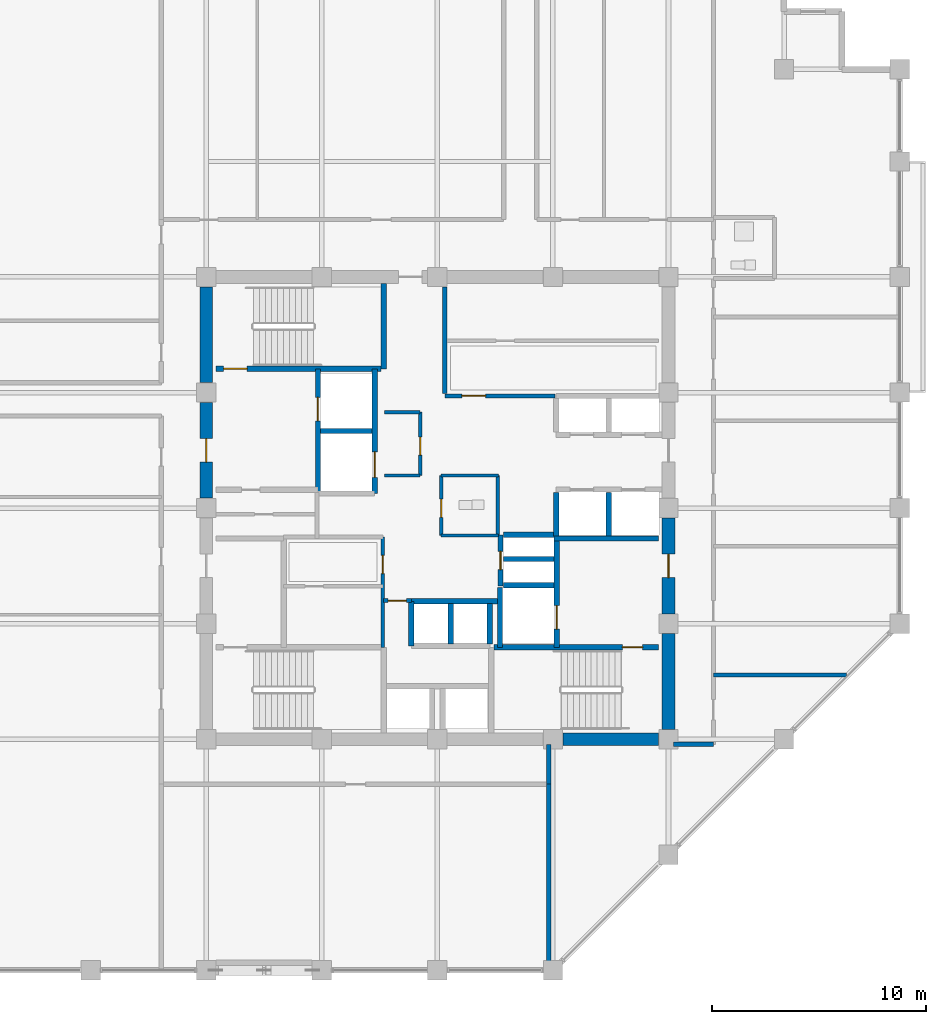
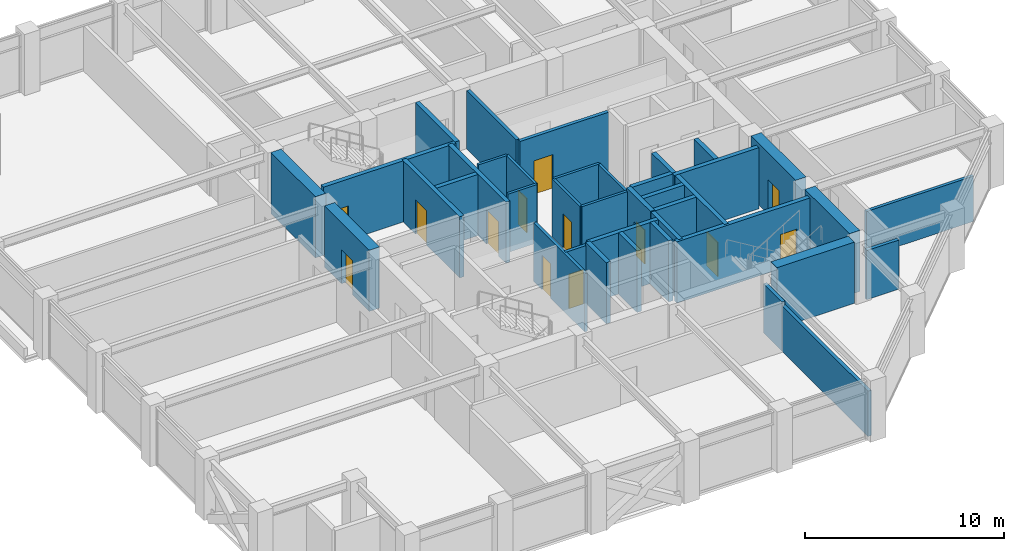
# One storey, part 27 of 31: 39 walls, 13 doors, 13 openings.
"""IFC4 building model written with IfcOpenShell, lengths in metres."""

import ifcopenshell
import ifcopenshell.guid

model = None  # the IFC model being written
_history = None  # IfcOwnerHistory: only IFC2X3 demands one
_inside = {}  # id of a spatial element -> (the spatial element, [elements in it])
_under = {}  # id of a project, library or spatial element -> (it, [spatial elements below it])
_declared = {}  # id of a project -> (the project, [libraries it declares])
_typed = {}  # id of a type object -> (the type object, [elements of that type])
_made_of = {}  # id of a material, layer set ... -> (it, [elements and type objects made of it])


def new_model(schema):
    """Start an empty IFC model of exactly this schema.

    Asked for "IFC4X3", IfcOpenShell would pick the latest addendum, in which some entities
    have other attributes; the version numbers below select the first issue.
    IFC2X3 requires an IfcOwnerHistory on every rooted entity: one is made here for all.
    """
    global model, _history
    if schema == "IFC4X3":
        model = ifcopenshell.file(schema_version=(4, 3, 0, 0))
    else:
        model = ifcopenshell.file(schema=schema)
    _inside.clear()
    _under.clear()
    _declared.clear()
    _typed.clear()
    _made_of.clear()
    _history = None
    if model.schema == "IFC2X3":
        org = make("IfcOrganization", Name="unknown")
        user = make(
            "IfcPersonAndOrganization",
            ThePerson=make("IfcPerson", FamilyName="unknown"),
            TheOrganization=org,
        )
        app = make(
            "IfcApplication",
            ApplicationDeveloper=org,
            Version="unknown",
            ApplicationFullName="unknown",
            ApplicationIdentifier="unknown",
        )
        _history = make(
            "IfcOwnerHistory",
            OwningUser=user,
            OwningApplication=app,
            ChangeAction="ADDED",
            CreationDate=0,
        )
    return model


def make(cls, **values):
    """One entity of the class cls with the attributes given. An attribute that is None is left unset."""
    return model.create_entity(
        cls, **{name: value for name, value in values.items() if value is not None}
    )


def rooted(cls, **values):
    """An entity with a GlobalId (a new one), such as an element, a storey or a relation."""
    return make(cls, GlobalId=ifcopenshell.guid.new(), OwnerHistory=_history, **values)


def si_unit(unit_type, name, prefix=None):
    """IfcSIUnit, for example si_unit("LENGTHUNIT", "METRE", prefix="MILLI")."""
    return make("IfcSIUnit", UnitType=unit_type, Prefix=prefix, Name=name)


def assignment(units):
    """IfcUnitAssignment: the units of a project."""
    return None if units is None else make("IfcUnitAssignment", Units=units)


def point(xyz):
    """IfcCartesianPoint."""
    return None if xyz is None else make("IfcCartesianPoint", Coordinates=xyz)


def direction(xyz):
    """IfcDirection."""
    return None if xyz is None else make("IfcDirection", DirectionRatios=xyz)


def frame(location, z_axis=None, x_axis=None):
    """IfcAxis2Placement3D, a coordinate frame: its origin and axes. An axis left out is left unset."""
    return make(
        "IfcAxis2Placement3D",
        Location=point(location),
        Axis=direction(z_axis),
        RefDirection=direction(x_axis),
    )


def frame_2d(location, x_axis=None):
    """IfcAxis2Placement2D, a coordinate frame in the plane: its origin and x axis."""
    return make(
        "IfcAxis2Placement2D", Location=point(location), RefDirection=direction(x_axis)
    )


def origin():
    """The frame at (0, 0, 0) with its axes left unset."""
    return frame((0.0, 0.0, 0.0))


def place(relative_to, where):
    """IfcLocalPlacement: puts the frame where relative to a parent placement (None: the world)."""
    return make(
        "IfcLocalPlacement", PlacementRelTo=relative_to, RelativePlacement=where
    )


def context(
    kind, dimensions, precision=None, world=None, true_north=None, identifier=None
):
    """IfcGeometricRepresentationContext, for example the 3D "Model" context."""
    return make(
        "IfcGeometricRepresentationContext",
        ContextIdentifier=identifier,
        ContextType=kind,
        CoordinateSpaceDimension=dimensions,
        Precision=precision,
        WorldCoordinateSystem=world,
        TrueNorth=true_north,
    )


def subcontext(parent, identifier, kind, view, scale=None):
    """IfcGeometricRepresentationSubContext, for example "Body" below "Model"."""
    return make(
        "IfcGeometricRepresentationSubContext",
        ContextIdentifier=identifier,
        ContextType=kind,
        ParentContext=parent,
        TargetScale=scale,
        TargetView=view,
    )


def project(units=None, contexts=None):
    """IfcProject with its units and contexts."""
    return rooted(
        "IfcProject",
        Name="project",
        RepresentationContexts=contexts,
        UnitsInContext=assignment(units),
    )


def spatial(cls, under=None, at=None, **own):
    """A site, building, storey or space (cls), placed at a placement, below another one or the project."""
    s = rooted(cls, ObjectPlacement=at, **own)
    if under is not None:
        _under.setdefault(under.id(), (under, []))[1].append(s)
    return s


def profile(cls, at=None, kind="AREA", **sizes):
    """A parametric profile (cls). Its sizes go by their IFC names, for example OverallWidth=200.0."""
    return make(cls, ProfileType=kind, Position=at, **sizes)


def rectangle(**sizes):
    """IfcRectangleProfileDef."""
    return profile("IfcRectangleProfileDef", **sizes)


def extrude(swept, where, along, depth):
    """IfcExtrudedAreaSolid: the profile swept, set in the frame where, extruded along a direction by depth."""
    return make(
        "IfcExtrudedAreaSolid",
        SweptArea=swept,
        Position=where,
        ExtrudedDirection=direction(along),
        Depth=depth,
    )


def shape(context_of_items, identifier, shape_type, items):
    """IfcShapeRepresentation: the items that make up one representation, for example the "Body"."""
    return make(
        "IfcShapeRepresentation",
        ContextOfItems=context_of_items,
        RepresentationIdentifier=identifier,
        RepresentationType=shape_type,
        Items=items,
    )


def material(Name=None, Category=None):
    """IfcMaterial."""
    return make("IfcMaterial", Name=Name, Category=Category)


def layer(
    of_material, thickness, ventilated=None, Name=None, Category=None, Priority=None
):
    """IfcMaterialLayer: one layer of a wall or slab, of a material (None: an air gap)."""
    return make(
        "IfcMaterialLayer",
        Material=of_material,
        LayerThickness=thickness,
        IsVentilated=ventilated,
        Name=Name,
        Category=Category,
        Priority=Priority,
    )


def layer_set(layers, Name=None):
    """IfcMaterialLayerSet."""
    return make("IfcMaterialLayerSet", MaterialLayers=layers, LayerSetName=Name)


def made_of(thing, what):
    """Note that an element or type object is made of a material, layer set ...; save() writes the relation."""
    if what is not None:
        _made_of.setdefault(what.id(), (what, []))[1].append(thing)
    return thing


def type_object(cls, material=None, **own):
    """A type object (cls), such as IfcWallType, which elements share."""
    return made_of(rooted(cls, **own), material)


def element(
    cls,
    number,
    at=None,
    inside=None,
    cuts=None,
    type_object=None,
    material=None,
    context=None,
    identifier="Body",
    shape_type=None,
    held_by="IfcProductDefinitionShape",
    body=None,
    shapes=None,
    **own,
):
    """One element of the class cls, such as IfcWall. Its Tag is "e" and its number.

    at: its placement. inside: the storey or other place that contains it. cuts: it is an
    opening in that element (IfcRelVoidsElement). A single representation is given by context,
    identifier, shape_type and body (its items); several are given by shapes. held_by: the class
    of the entity that holds the representations. save() writes the other relations.
    """
    e = rooted(cls, Tag="e%d" % number, ObjectPlacement=at, **own)
    if body is not None:
        shapes = [shape(context, identifier, shape_type, body)]
    if shapes is not None:
        e.Representation = make(held_by, Representations=shapes)
    if inside is not None:
        _inside.setdefault(inside.id(), (inside, []))[1].append(e)
    if cuts is not None:
        rooted(
            "IfcRelVoidsElement", RelatingBuildingElement=cuts, RelatedOpeningElement=e
        )
    if type_object is not None:
        _typed.setdefault(type_object.id(), (type_object, []))[1].append(e)
    return made_of(e, material)


def fill(opening, filler):
    """IfcRelFillsElement: the door or window that sits in an opening."""
    return rooted(
        "IfcRelFillsElement",
        RelatingOpeningElement=opening,
        RelatedBuildingElement=filler,
    )


def aggregate(whole, parts):
    """IfcRelAggregates: a whole, such as a stair, and the parts it consists of."""
    return rooted("IfcRelAggregates", RelatingObject=whole, RelatedObjects=parts)


def save(model, path):
    """Write the relations noted so far, then the file.

    IfcRelAggregates (storeys below a building ...), IfcRelContainedInSpatialStructure (elements
    in a storey), IfcRelDefinesByType, IfcRelAssociatesMaterial and IfcRelDeclares: one each for
    every whole, place, type object, material and project.
    """
    for whole, parts in _under.values():
        aggregate(whole, parts)
    for where, things in _inside.values():
        rooted(
            "IfcRelContainedInSpatialStructure",
            RelatedElements=things,
            RelatingStructure=where,
        )
    for kind, things in _typed.values():
        rooted("IfcRelDefinesByType", RelatedObjects=things, RelatingType=kind)
    for what, things in _made_of.values():
        rooted("IfcRelAssociatesMaterial", RelatedObjects=things, RelatingMaterial=what)
    for by, libraries in _declared.values():
        rooted("IfcRelDeclares", RelatingContext=by, RelatedDefinitions=libraries)
    model.write(path)


model = new_model("IFC4")

# Units and contexts
model_context = context("Model", 3, precision=1e-05, world=origin(), true_north=direction((0.0, 1.0)))
body_context = subcontext(model_context, "Body", "Model", "MODEL_VIEW")
ifc_project = project(units=[si_unit("LENGTHUNIT", "METRE"), si_unit("AREAUNIT", "SQUARE_METRE"), si_unit("VOLUMEUNIT", "CUBIC_METRE"), si_unit("PLANEANGLEUNIT", "RADIAN"), si_unit("MASSUNIT", "GRAM", prefix="KILO")], contexts=[model_context])

# Site, building, storey
site_placement = place(None, origin())
site = spatial("IfcSite", under=ifc_project, at=site_placement, CompositionType="ELEMENT")
building_placement = place(site_placement, origin())
building = spatial("IfcBuilding", under=site, at=building_placement, Name="Surkhivell Harbour Commons", CompositionType="ELEMENT")
storey_placement = place(building_placement, frame((0.0, 0.0, 193.5)))
storey = spatial("IfcBuildingStorey", under=building, at=storey_placement, Name="L50", CompositionType="ELEMENT", Elevation=193.5)

# Wall
ifc_material_1 = material(Name="Concrete C60/75", Category="concrete")
ifc_layer_1 = layer(ifc_material_1, 0.60009765625)
ifc_layer_set_1 = layer_set([ifc_layer_1], Name="Concrete C60/75")
wall_type_1 = type_object("IfcWallType", Name="WAL-CORE-600", PredefinedType="SHEAR", material=ifc_layer_set_1)
wall_1_placement = place(storey_placement, frame((10.800048828125, -10.340087890625, 0.0), z_axis=(0.0, 0.0, 1.0), x_axis=(0.0, 1.0, 0.0)))
element("IfcWall", 1, at=wall_1_placement, inside=storey, type_object=wall_type_1, Name="L50 Core Shear Wall East 1", PredefinedType="SHEAR", context=body_context, shape_type="SweptSolid", body=[
    extrude(rectangle(XDim=4.47998046875, YDim=0.60009765625, at=frame_2d((2.239990234375, 0.0))), origin(), (0.0, 0.0, 1.0), 3.75),
])

# Wall, opening, door
wall_2_placement = place(storey_placement, frame((10.800048828125, -4.93994140625, 0.0), z_axis=(0.0, 0.0, 1.0), x_axis=(0.0, 1.0, 0.0)))
wall_2 = element("IfcWall", 2, at=wall_2_placement, inside=storey, type_object=wall_type_1, Name="L50 Core Shear Wall East 2", PredefinedType="SHEAR", context=body_context, shape_type="SweptSolid", body=[
    extrude(rectangle(XDim=4.47998046875, YDim=0.60009765625, at=frame_2d((2.239990234375, 0.0))), origin(), (0.0, 0.0, 1.0), 3.75),
])
opening_1_placement = place(wall_2_placement, frame((1.68994140625, 0.0, 0.0)))
opening_1 = element("IfcOpeningElement", 3, at=opening_1_placement, cuts=wall_2, Name="Opening ID-1", PredefinedType="OPENING", context=body_context, shape_type="SweptSolid", body=[
    extrude(rectangle(XDim=1.10009765625, YDim=2.10009765625, at=frame_2d((0.550048828125, 1.050048828125))), frame((0.0, 0.31005859375, 0.0), z_axis=(0.0, -1.0, 0.0), x_axis=(1.0, 0.0, 0.0)), (0.0, 0.0, 1.0), 0.6201171875),
])
ifc_material_2 = material(Name="Hardwood-veneered fire-rated door leaf", Category="wood")
door_type_1 = type_object("IfcDoorType", Name="DOR-FD120-1100", OperationType="NOTDEFINED", PredefinedType="DOOR", material=ifc_material_2)
door_1_placement = place(opening_1_placement, origin())
door_1 = element("IfcDoor", 4, at=door_1_placement, inside=storey, type_object=door_type_1, Name="L50 Firefighting Lobby 2 Corridor Door", OperationType="SINGLE_SWING_RIGHT", OverallHeight=2.10009765625, OverallWidth=1.10009765625, PredefinedType="DOOR", context=body_context, shape_type="SweptSolid", body=[
    extrude(rectangle(XDim=1.10009765625, YDim=2.10009765625, at=frame_2d((0.550048828125, 1.050048828125))), frame((0.0, 0.02490234375, 0.0), z_axis=(0.0, -1.0, 0.0), x_axis=(1.0, 0.0, 0.0)), (0.0, 0.0, 1.0), 0.050048828125),
])
fill(opening_1, door_1)

wall_3_placement = place(storey_placement, frame((-10.800048828125, 0.4599609375, 0.0), z_axis=(0.0, 0.0, 1.0), x_axis=(0.0, 1.0, 0.0)))
wall_3 = element("IfcWall", 5, at=wall_3_placement, inside=storey, type_object=wall_type_1, Name="L50 Core Shear Wall West 3", PredefinedType="SHEAR", context=body_context, shape_type="SweptSolid", body=[
    extrude(rectangle(XDim=4.47998046875, YDim=0.60009765625, at=frame_2d((2.239990234375, 0.0))), origin(), (0.0, 0.0, 1.0), 3.75),
])
opening_2_placement = place(wall_3_placement, frame((1.68994140625, 0.0, 0.0)))
opening_2 = element("IfcOpeningElement", 6, at=opening_2_placement, cuts=wall_3, Name="Opening ID-1", PredefinedType="OPENING", context=body_context, shape_type="SweptSolid", body=[
    extrude(rectangle(XDim=1.10009765625, YDim=2.10009765625, at=frame_2d((0.550048828125, 1.050048828125))), frame((0.0, 0.31005859375, 0.0), z_axis=(0.0, -1.0, 0.0), x_axis=(1.0, 0.0, 0.0)), (0.0, 0.0, 1.0), 0.6201171875),
])
door_2_placement = place(opening_2_placement, origin())
door_2 = element("IfcDoor", 7, at=door_2_placement, inside=storey, type_object=door_type_1, Name="L50 Firefighting Lobby 1 Corridor Door", OperationType="SINGLE_SWING_LEFT", OverallHeight=2.10009765625, OverallWidth=1.10009765625, PredefinedType="DOOR", context=body_context, shape_type="SweptSolid", body=[
    extrude(rectangle(XDim=1.10009765625, YDim=2.10009765625, at=frame_2d((0.550048828125, 1.050048828125))), frame((0.0, 0.02490234375, 0.0), z_axis=(0.0, -1.0, 0.0), x_axis=(1.0, 0.0, 0.0)), (0.0, 0.0, 1.0), 0.050048828125),
])
fill(opening_2, door_2)

# Walls
for number, where, z_axis, x_axis, name in (
    (8, (5.860107421875, -10.800048828125, 0.0), (0.0, 0.0, 1.0), (1.0, 0.0, 0.0), "L50 Core Shear Wall South 4"),
    (9, (-10.800048828125, 5.860107421875, 0.0), (0.0, 0.0, 1.0), (0.0, 1.0, 0.0), "L50 Core Shear Wall West 4"),
):
    element("IfcWall", number, at=place(storey_placement, frame(where, z_axis=z_axis, x_axis=x_axis)), inside=storey, type_object=wall_type_1, Name=name, PredefinedType="SHEAR", context=body_context, shape_type="SweptSolid", body=[
        extrude(rectangle(XDim=4.47998046875, YDim=0.60009765625, at=frame_2d((2.239990234375, 0.0))), origin(), (0.0, 0.0, 1.0), 3.75),
    ])
ifc_material_3 = material(Name="Twin-stud acoustic fireboard partition", Category="other")
ifc_layer_2 = layer(ifc_material_3, 0.14990234375)
ifc_layer_set_2 = layer_set([ifc_layer_2], Name="Twin-stud acoustic fireboard partition")
wall_type_2 = type_object("IfcWallType", Name="WAL-INT-150", PredefinedType="PARTITIONING", material=ifc_layer_set_2)
wall_4_placement = place(storey_placement, frame((2.820068359375, -1.25, 0.0), z_axis=(0.0, 0.0, 1.0), x_axis=(0.0, 1.0, 0.0)))
element("IfcWall", 10, at=wall_4_placement, inside=storey, type_object=wall_type_2, Name="L50 Core WC East Wall", PredefinedType="PARTITIONING", context=body_context, shape_type="SweptSolid", body=[
    extrude(rectangle(XDim=2.77001953125, YDim=0.14990234375, at=frame_2d((1.385009765625, 0.0))), origin(), (0.0, 0.0, 1.0), 3.570068359375),
])
for number, where, z_axis, x_axis, name in (
    (11, (0.179931640625, 1.52001953125, 0.0), (0.0, 0.0, 1.0), (1.0, 0.0, 0.0), "L50 Core WC North Wall"),
    (12, (0.179931640625, -1.280029296875, 0.0), (0.0, 0.0, 1.0), (1.0, 0.0, 0.0), "L50 Core WC South Wall"),
):
    element("IfcWall", number, at=place(storey_placement, frame(where, z_axis=z_axis, x_axis=x_axis)), inside=storey, type_object=wall_type_2, Name=name, PredefinedType="PARTITIONING", context=body_context, shape_type="SweptSolid", body=[
        extrude(rectangle(XDim=2.670166015625, YDim=0.14990234375, at=frame_2d((1.3349609375, 0.0))), origin(), (0.0, 0.0, 1.0), 3.570068359375),
    ])

# Wall, opening, door
wall_5_placement = place(storey_placement, frame((0.179931640625, -1.280029296875, 0.0), z_axis=(0.0, 0.0, 1.0), x_axis=(0.0, 1.0, 0.0)))
wall_5 = element("IfcWall", 13, at=wall_5_placement, inside=storey, type_object=wall_type_2, Name="L50 Core Accessible WC West Wall", PredefinedType="PARTITIONING", context=body_context, shape_type="SweptSolid", body=[
    extrude(rectangle(XDim=2.800048828125, YDim=0.14990234375, at=frame_2d((1.39990234375, 0.0))), origin(), (0.0, 0.0, 1.0), 3.570068359375),
])
opening_3_placement = place(wall_5_placement, frame((0.85009765625, 0.0, 0.0)))
opening_3 = element("IfcOpeningElement", 14, at=opening_3_placement, cuts=wall_5, Name="Opening ID-6", PredefinedType="OPENING", context=body_context, shape_type="SweptSolid", body=[
    extrude(rectangle(XDim=0.85009765625, YDim=2.10009765625, at=frame_2d((0.425048828125, 1.050048828125))), frame((0.0, 0.0849609375, 0.0), z_axis=(0.0, -1.0, 0.0), x_axis=(1.0, 0.0, 0.0)), (0.0, 0.0, 1.0), 0.169921875),
])
door_type_2 = type_object("IfcDoorType", Name="DOR-FD30-850", OperationType="NOTDEFINED", PredefinedType="DOOR", material=ifc_material_2)
door_3_placement = place(opening_3_placement, origin())
door_3 = element("IfcDoor", 15, at=door_3_placement, inside=storey, type_object=door_type_2, Name="L50 Floor Accessible WC Door", OperationType="SINGLE_SWING_RIGHT", OverallHeight=2.10009765625, OverallWidth=0.85009765625, PredefinedType="DOOR", context=body_context, shape_type="SweptSolid", body=[
    extrude(rectangle(XDim=0.85009765625, YDim=2.10009765625, at=frame_2d((0.425048828125, 1.050048828125))), frame((0.0, 0.02490234375, 0.0), z_axis=(0.0, -1.0, 0.0), x_axis=(1.0, 0.0, 0.0)), (0.0, 0.0, 1.0), 0.050048828125),
])
fill(opening_3, door_3)

wall_6_placement = place(storey_placement, frame((-0.800048828125, 1.52001953125, 0.0), z_axis=(0.0, 0.0, 1.0), x_axis=(0.0, 1.0, 0.0)))
wall_6 = element("IfcWall", 16, at=wall_6_placement, inside=storey, type_object=wall_type_2, Name="L50 Core Seminar East Wall", PredefinedType="PARTITIONING", context=body_context, shape_type="SweptSolid", body=[
    extrude(rectangle(XDim=2.9599609375, YDim=0.14990234375, at=frame_2d((1.47998046875, 0.0))), origin(), (0.0, 0.0, 1.0), 3.570068359375),
])
opening_4_placement = place(wall_6_placement, frame((0.949951171875, 0.0, 0.0)))
opening_4 = element("IfcOpeningElement", 17, at=opening_4_placement, cuts=wall_6, Name="Opening ID-6", PredefinedType="OPENING", context=body_context, shape_type="SweptSolid", body=[
    extrude(rectangle(XDim=0.85009765625, YDim=2.10009765625, at=frame_2d((0.425048828125, 1.050048828125))), frame((0.0, 0.0849609375, 0.0), z_axis=(0.0, -1.0, 0.0), x_axis=(1.0, 0.0, 0.0)), (0.0, 0.0, 1.0), 0.169921875),
])
door_4_placement = place(opening_4_placement, origin())
door_4 = element("IfcDoor", 18, at=door_4_placement, inside=storey, type_object=door_type_2, Name="L50 Central Seminar Door", OperationType="SINGLE_SWING_LEFT", OverallHeight=2.10009765625, OverallWidth=0.85009765625, PredefinedType="DOOR", context=body_context, shape_type="SweptSolid", body=[
    extrude(rectangle(XDim=0.85009765625, YDim=2.10009765625, at=frame_2d((0.425048828125, 1.050048828125))), frame((0.0, 0.02490234375, 0.0), z_axis=(0.0, -1.0, 0.0), x_axis=(1.0, 0.0, 0.0)), (0.0, 0.0, 1.0), 0.050048828125),
])
fill(opening_4, door_4)

# Walls
for number, where, z_axis, x_axis, name in (
    (19, (-2.47998046875, 4.47998046875, 0.0), (0.0, 0.0, 1.0), (1.0, 0.0, 0.0), "L50 Core Seminar North Wall"),
    (20, (-2.47998046875, 1.52001953125, 0.0), (0.0, 0.0, 1.0), (1.0, 0.0, 0.0), "L50 Core Seminar South Wall"),
):
    element("IfcWall", number, at=place(storey_placement, frame(where, z_axis=z_axis, x_axis=x_axis)), inside=storey, type_object=wall_type_2, Name=name, PredefinedType="PARTITIONING", context=body_context, shape_type="SweptSolid", body=[
        extrude(rectangle(XDim=1.679931640625, YDim=0.14990234375, at=frame_2d((0.83984375, 0.0))), origin(), (0.0, 0.0, 1.0), 3.570068359375),
    ])

# Wall, opening, door
ifc_material_4 = material(Name="High-density acoustic blockwork fire partition", Category="masonry")
ifc_layer_3 = layer(ifc_material_4, 0.175048828125)
ifc_layer_set_3 = layer_set([ifc_layer_3], Name="High-density acoustic blockwork fire partition")
wall_type_3 = type_object("IfcWallType", Name="WAL-INT-175", PredefinedType="PARTITIONING", material=ifc_layer_set_3)
wall_7_placement = place(storey_placement, frame((-2.550048828125, -6.510009765625, 0.0), z_axis=(0.0, 0.0, 1.0), x_axis=(0.0, 1.0, 0.0)))
wall_7 = element("IfcWall", 21, at=wall_7_placement, inside=storey, type_object=wall_type_3, Name="L50 Core Service Bay East Wall", PredefinedType="PARTITIONING", context=body_context, shape_type="SweptSolid", body=[
    extrude(rectangle(XDim=5.159912109375, YDim=0.175048828125, at=frame_2d((2.580078125, 0.0))), origin(), (0.0, 0.0, 1.0), 3.570068359375),
])
opening_5_placement = place(wall_7_placement, frame((3.449951171875, 0.0, 0.0)))
opening_5 = element("IfcOpeningElement", 22, at=opening_5_placement, cuts=wall_7, Name="Opening ID-6", PredefinedType="OPENING", context=body_context, shape_type="SweptSolid", body=[
    extrude(rectangle(XDim=0.85009765625, YDim=2.10009765625, at=frame_2d((0.425048828125, 1.050048828125))), frame((0.0, 0.097412109375, 0.0), z_axis=(0.0, -1.0, 0.0), x_axis=(1.0, 0.0, 0.0)), (0.0, 0.0, 1.0), 0.195068359375),
])
door_5_placement = place(opening_5_placement, origin())
door_5 = element("IfcDoor", 23, at=door_5_placement, inside=storey, type_object=door_type_2, Name="L50 Core Seminar Door", OperationType="SINGLE_SWING_LEFT", OverallHeight=2.10009765625, OverallWidth=0.85009765625, PredefinedType="DOOR", context=body_context, shape_type="SweptSolid", body=[
    extrude(rectangle(XDim=0.85009765625, YDim=2.10009765625, at=frame_2d((0.425048828125, 1.050048828125))), frame((0.0, 0.02490234375, 0.0), z_axis=(0.0, -1.0, 0.0), x_axis=(1.0, 0.0, 0.0)), (0.0, 0.0, 1.0), 0.050048828125),
])
fill(opening_5, door_5)

wall_8_placement = place(storey_placement, frame((-2.52001953125, -4.320068359375, 0.0), z_axis=(0.0, 0.0, 1.0), x_axis=(1.0, 0.0, 0.0)))
wall_8 = element("IfcWall", 24, at=wall_8_placement, inside=storey, type_object=wall_type_3, Name="L50 High-Rise Lobby North Portal Wall", PredefinedType="PARTITIONING", context=body_context, shape_type="SweptSolid", body=[
    extrude(rectangle(XDim=1.300048828125, YDim=0.175048828125, at=frame_2d((0.64990234375, 0.0))), origin(), (0.0, 0.0, 1.0), 3.570068359375),
])
opening_6_placement = place(wall_8_placement, frame((0.219970703125, 0.0, 0.0)))
opening_6 = element("IfcOpeningElement", 25, at=opening_6_placement, cuts=wall_8, Name="Opening ID-6", PredefinedType="OPENING", context=body_context, shape_type="SweptSolid", body=[
    extrude(rectangle(XDim=0.85009765625, YDim=2.10009765625, at=frame_2d((0.425048828125, 1.050048828125))), frame((0.0, 0.097412109375, 0.0), z_axis=(0.0, -1.0, 0.0), x_axis=(1.0, 0.0, 0.0)), (0.0, 0.0, 1.0), 0.195068359375),
])
door_6_placement = place(opening_6_placement, origin())
door_6 = element("IfcDoor", 26, at=door_6_placement, inside=storey, type_object=door_type_2, Name="L50 High-Rise Lift Lobby North Door", OperationType="SINGLE_SWING_LEFT", OverallHeight=2.10009765625, OverallWidth=0.85009765625, PredefinedType="DOOR", context=body_context, shape_type="SweptSolid", body=[
    extrude(rectangle(XDim=0.85009765625, YDim=2.10009765625, at=frame_2d((0.425048828125, 1.050048828125))), frame((0.0, 0.02490234375, 0.0), z_axis=(0.0, -1.0, 0.0), x_axis=(1.0, 0.0, 0.0)), (0.0, 0.0, 1.0), 0.050048828125),
])
fill(opening_6, door_6)

# Wall
wall_9_placement = place(storey_placement, frame((12.89990234375, -7.800048828125, 0.0), z_axis=(0.0, 0.0, 1.0), x_axis=(1.0, 0.0, 0.0)))
element("IfcWall", 27, at=wall_9_placement, inside=storey, type_object=wall_type_3, Name="L50 East Partition PBOT", PredefinedType="PARTITIONING", context=body_context, shape_type="SweptSolid", body=[
    extrude(rectangle(XDim=6.21533203125, YDim=0.175048828125, at=frame_2d((3.107666015625, 0.0))), origin(), (0.0, 0.0, 1.0), 2.780029296875),
])

# Wall, opening, door
ifc_material_5 = material(Name="Autoclaved aerated concrete blockwork and fire plaster", Category="masonry")
ifc_layer_4 = layer(ifc_material_5, 0.199951171875)
ifc_layer_set_4 = layer_set([ifc_layer_4], Name="Autoclaved aerated concrete blockwork and fire plaster")
wall_type_4 = type_object("IfcWallType", Name="WAL-INT-200", PredefinedType="PARTITIONING", material=ifc_layer_set_4)
wall_10_placement = place(storey_placement, frame((0.35009765625, 5.239990234375, 0.0), z_axis=(0.0, 0.0, 1.0), x_axis=(1.0, 0.0, 0.0)))
wall_10 = element("IfcWall", 28, at=wall_10_placement, inside=storey, type_object=wall_type_4, Name="L50 Reclaimed Core North Bay South Wall", PredefinedType="PARTITIONING", context=body_context, shape_type="SweptSolid", body=[
    extrude(rectangle(XDim=5.14990234375, YDim=0.199951171875, at=frame_2d((2.574951171875, 0.0))), origin(), (0.0, 0.0, 1.0), 3.570068359375),
])
opening_7_placement = place(wall_10_placement, frame((0.800048828125, 0.0, 0.0)))
opening_7 = element("IfcOpeningElement", 29, at=opening_7_placement, cuts=wall_10, Name="Opening ID-2", PredefinedType="OPENING", context=body_context, shape_type="SweptSolid", body=[
    extrude(rectangle(XDim=1.10009765625, YDim=2.10009765625, at=frame_2d((0.550048828125, 1.050048828125))), frame((0.0, 0.10986328125, 0.0), z_axis=(0.0, -1.0, 0.0), x_axis=(1.0, 0.0, 0.0)), (0.0, 0.0, 1.0), 0.219970703125),
])
door_type_3 = type_object("IfcDoorType", Name="DOR-FD60-1100", OperationType="NOTDEFINED", PredefinedType="DOOR", material=ifc_material_2)
door_7_placement = place(opening_7_placement, origin())
door_7 = element("IfcDoor", 30, at=door_7_placement, inside=storey, type_object=door_type_3, Name="L50 Study Alcove Door", OperationType="SINGLE_SWING_RIGHT", OverallHeight=2.10009765625, OverallWidth=1.10009765625, PredefinedType="DOOR", context=body_context, shape_type="SweptSolid", body=[
    extrude(rectangle(XDim=1.10009765625, YDim=2.10009765625, at=frame_2d((0.550048828125, 1.050048828125))), frame((0.0, 0.02490234375, 0.0), z_axis=(0.0, -1.0, 0.0), x_axis=(1.0, 0.0, 0.0)), (0.0, 0.0, 1.0), 0.050048828125),
])
fill(opening_7, door_7)

# Walls
wall_11_placement = place(storey_placement, frame((0.35009765625, 5.360107421875, 0.0), z_axis=(0.0, 0.0, 1.0), x_axis=(0.0, 1.0, 0.0)))
element("IfcWall", 31, at=wall_11_placement, inside=storey, type_object=wall_type_4, Name="L50 Reclaimed Core North Bay West Wall", PredefinedType="PARTITIONING", context=body_context, shape_type="SweptSolid", body=[
    extrude(rectangle(XDim=4.97998046875, YDim=0.199951171875, at=frame_2d((2.489990234375, 0.0))), origin(), (0.0, 0.0, 1.0), 3.570068359375),
])
wall_12_placement = place(storey_placement, frame((5.199951171875, -21.5400390625, 0.0), z_axis=(0.0, 0.0, 1.0), x_axis=(0.0, 1.0, 0.0)))
element("IfcWall", 32, at=wall_12_placement, inside=storey, type_object=wall_type_4, Name="L50 South-East Corner Wall", PredefinedType="PARTITIONING", context=body_context, shape_type="SweptSolid", body=[
    extrude(rectangle(XDim=8.64013671875, YDim=0.199951171875, at=frame_2d((4.320068359375, 0.0))), origin(), (0.0, 0.0, 1.0), 2.780029296875),
])
for number, where, z_axis, x_axis, name in (
    (33, (11.0400390625, -11.0400390625, 0.0), (0.0, 0.0, 1.0), (1.0, 0.0, 0.0), "L50 Corridor East South Closure Wall"),
    (34, (5.199951171875, -12.89990234375, 0.0), (0.0, 0.0, 1.0), (0.0, 1.0, 0.0), "L50 Corridor South End Wall"),
):
    element("IfcWall", number, at=place(storey_placement, frame(where, z_axis=z_axis, x_axis=x_axis)), inside=storey, type_object=wall_type_4, Name=name, PredefinedType="PARTITIONING", context=body_context, shape_type="SweptSolid", body=[
        extrude(rectangle(XDim=1.85986328125, YDim=0.199951171875, at=frame_2d((0.929931640625, 0.0))), origin(), (0.0, 0.0, 1.0), 3.006103515625),
    ])

# Wall, opening, door
ifc_material_6 = material(Name="Concrete C50/60", Category="concrete")
ifc_layer_5 = layer(ifc_material_6, 0.25)
ifc_layer_set_5 = layer_set([ifc_layer_5], Name="Concrete C50/60")
wall_type_5 = type_object("IfcWallType", Name="WAL-SHAFT-250", PredefinedType="SHEAR", material=ifc_layer_set_5)
wall_13_placement = place(storey_placement, frame((-5.580078125, 0.719970703125, 0.0), z_axis=(0.0, 0.0, 1.0), x_axis=(0.0, 1.0, 0.0)))
wall_13 = element("IfcWall", 35, at=wall_13_placement, inside=storey, type_object=wall_type_5, Name="L50 Firefighting Lobby 1 East Shaft Wall", PredefinedType="SHEAR", context=body_context, shape_type="SweptSolid", body=[
    extrude(rectangle(XDim=5.7900390625, YDim=0.25, at=frame_2d((2.89501953125, 0.0))), origin(), (0.0, 0.0, 1.0), 3.75),
])
opening_8_placement = place(wall_13_placement, frame((3.35009765625, 0.0, 0.0)))
opening_8 = element("IfcOpeningElement", 36, at=opening_8_placement, cuts=wall_13, Name="Opening LD-1", PredefinedType="OPENING", context=body_context, shape_type="SweptSolid", body=[
    extrude(rectangle(XDim=1.10009765625, YDim=2.10009765625, at=frame_2d((0.550048828125, 1.050048828125))), frame((0.0, 0.135009765625, 0.0), z_axis=(0.0, -1.0, 0.0), x_axis=(1.0, 0.0, 0.0)), (0.0, 0.0, 1.0), 0.27001953125),
])
ifc_material_7 = material(Name="Brushed stainless steel S355", Category="steel")
door_type_4 = type_object("IfcDoorType", Name="DOR-LD-1100", OperationType="SLIDING_TO_LEFT", PredefinedType="DOOR", material=ifc_material_7)
door_8_placement = place(opening_8_placement, origin())
door_8 = element("IfcDoor", 37, at=door_8_placement, inside=storey, type_object=door_type_4, Name="L50 Lift Landing Door LD-FFL1", OperationType="SLIDING_TO_LEFT", OverallHeight=2.10009765625, OverallWidth=1.10009765625, PredefinedType="DOOR", context=body_context, shape_type="SweptSolid", body=[
    extrude(rectangle(XDim=1.10009765625, YDim=2.10009765625, at=frame_2d((0.550048828125, 1.050048828125))), frame((0.0, 0.02490234375, 0.0), z_axis=(0.0, -1.0, 0.0), x_axis=(1.0, 0.0, 0.0)), (0.0, 0.0, 1.0), 0.050048828125),
])
fill(opening_8, door_8)

# Walls
wall_14_placement = place(storey_placement, frame((2.929931640625, -6.510009765625, 0.0), z_axis=(0.0, 0.0, 1.0), x_axis=(0.0, 1.0, 0.0)))
element("IfcWall", 38, at=wall_14_placement, inside=storey, type_object=wall_type_5, Name="L50 FFL2 West Shaft Wall", PredefinedType="SHEAR", context=body_context, shape_type="SweptSolid", body=[
    extrude(rectangle(XDim=2.7900390625, YDim=0.25, at=frame_2d((1.39501953125, 0.0))), origin(), (0.0, 0.0, 1.0), 3.75),
])
wall_15_placement = place(storey_placement, frame((5.43994140625, -1.419921875, 0.0), z_axis=(0.0, 0.0, 1.0), x_axis=(1.0, 0.0, 0.0)))
element("IfcWall", 39, at=wall_15_placement, inside=storey, type_object=wall_type_5, Name="L50 Firefighting Lobby 2 North Wall", PredefinedType="SHEAR", context=body_context, shape_type="SweptSolid", body=[
    extrude(rectangle(XDim=4.900146484375, YDim=0.25, at=frame_2d((2.4501953125, 0.0))), origin(), (0.0, 0.0, 1.0), 3.75),
])
wall_16_placement = place(storey_placement, frame((3.080078125, -3.60009765625, 0.0), z_axis=(0.0, 0.0, 1.0), x_axis=(1.0, 0.0, 0.0)))
element("IfcWall", 40, at=wall_16_placement, inside=storey, type_object=wall_type_5, Name="L50 FFL2 North Shaft Wall", PredefinedType="SHEAR", context=body_context, shape_type="SweptSolid", body=[
    extrude(rectangle(XDim=2.369873046875, YDim=0.25, at=frame_2d((1.18505859375, 0.0))), origin(), (0.0, 0.0, 1.0), 3.75),
])

# Wall, opening, door
wall_17_placement = place(storey_placement, frame((5.580078125, -6.510009765625, 0.0), z_axis=(0.0, 0.0, 1.0), x_axis=(0.0, 1.0, 0.0)))
wall_17 = element("IfcWall", 41, at=wall_17_placement, inside=storey, type_object=wall_type_5, Name="L50 Firefighting Lobby 2 West Shaft Wall", PredefinedType="SHEAR", context=body_context, shape_type="SweptSolid", body=[
    extrude(rectangle(XDim=5.090087890625, YDim=0.25, at=frame_2d((2.544921875, 0.0))), origin(), (0.0, 0.0, 1.0), 3.75),
])
opening_9_placement = place(wall_17_placement, frame((0.85009765625, 0.0, 0.0)))
opening_9 = element("IfcOpeningElement", 42, at=opening_9_placement, cuts=wall_17, Name="Opening LD-1", PredefinedType="OPENING", context=body_context, shape_type="SweptSolid", body=[
    extrude(rectangle(XDim=1.10009765625, YDim=2.10009765625, at=frame_2d((0.550048828125, 1.050048828125))), frame((0.0, 0.135009765625, 0.0), z_axis=(0.0, -1.0, 0.0), x_axis=(1.0, 0.0, 0.0)), (0.0, 0.0, 1.0), 0.27001953125),
])
door_9_placement = place(opening_9_placement, origin())
door_9 = element("IfcDoor", 43, at=door_9_placement, inside=storey, type_object=door_type_4, Name="L50 Lift Landing Door LD-FFL2", OperationType="SLIDING_TO_RIGHT", OverallHeight=2.10009765625, OverallWidth=1.10009765625, PredefinedType="DOOR", context=body_context, shape_type="SweptSolid", body=[
    extrude(rectangle(XDim=1.10009765625, YDim=2.10009765625, at=frame_2d((0.550048828125, 1.050048828125))), frame((0.0, 0.02490234375, 0.0), z_axis=(0.0, -1.0, 0.0), x_axis=(1.0, 0.0, 0.0)), (0.0, 0.0, 1.0), 0.050048828125),
])
fill(opening_9, door_9)

# Walls
for number, where, z_axis, x_axis, name in (
    (44, (0.6201171875, -6.340087890625, 0.0), (0.0, 0.0, 1.0), (0.0, 1.0, 0.0), "L50 High-Rise Side Wall N"),
    (45, (2.449951171875, -6.340087890625, 0.0), (0.0, 0.0, 1.0), (0.0, 1.0, 0.0), "L50 High-Rise Side Wall N"),
):
    element("IfcWall", number, at=place(storey_placement, frame(where, z_axis=z_axis, x_axis=x_axis)), inside=storey, type_object=wall_type_5, Name=name, PredefinedType="SHEAR", context=body_context, shape_type="SweptSolid", body=[
        extrude(rectangle(XDim=1.880126953125, YDim=0.25, at=frame_2d((0.93994140625, 0.0))), origin(), (0.0, 0.0, 1.0), 3.75),
    ])
wall_18_placement = place(storey_placement, frame((-1.219970703125, -6.43994140625, 0.0), z_axis=(0.0, 0.0, 1.0), x_axis=(0.0, 1.0, 0.0)))
element("IfcWall", 46, at=wall_18_placement, inside=storey, type_object=wall_type_5, Name="L50 High-Rise Passage East Shaft Wall", PredefinedType="SHEAR", context=body_context, shape_type="SweptSolid", body=[
    extrude(rectangle(XDim=2.079833984375, YDim=0.25, at=frame_2d((1.0400390625, 0.0))), origin(), (0.0, 0.0, 1.0), 3.75),
])
wall_19_placement = place(storey_placement, frame((-1.219970703125, -4.360107421875, 0.0), z_axis=(0.0, 0.0, 1.0), x_axis=(1.0, 0.0, 0.0)))
element("IfcWall", 47, at=wall_19_placement, inside=storey, type_object=wall_type_5, Name="L50 High-Rise North Back Shaft Wall", PredefinedType="SHEAR", context=body_context, shape_type="SweptSolid", body=[
    extrude(rectangle(XDim=4.030029296875, YDim=0.25, at=frame_2d((2.01513671875, 0.0))), origin(), (0.0, 0.0, 1.0), 3.75),
])
for number, where, z_axis, x_axis, name in (
    (48, (5.550048828125, -1.300048828125, 0.0), (0.0, 0.0, 1.0), (0.0, 1.0, 0.0), "L50 Mid-Rise Shaft Side Wall S"),
    (49, (8.0, -1.300048828125, 0.0), (0.0, 0.0, 1.0), (0.0, 1.0, 0.0), "L50 Mid-Rise Shaft Side Wall S"),
):
    element("IfcWall", number, at=place(storey_placement, frame(where, z_axis=z_axis, x_axis=x_axis)), inside=storey, type_object=wall_type_5, Name=name, PredefinedType="SHEAR", context=body_context, shape_type="SweptSolid", body=[
        extrude(rectangle(XDim=2.0400390625, YDim=0.25, at=frame_2d((1.02001953125, 0.0))), origin(), (0.0, 0.0, 1.0), 3.75),
    ])
for number, where, z_axis, x_axis, name in (
    (50, (3.080078125, -2.3798828125, 0.0), (0.0, 0.0, 1.0), (1.0, 0.0, 0.0), "L50 Riser Divider Wall"),
    (51, (3.080078125, -1.25, 0.0), (0.0, 0.0, 1.0), (1.0, 0.0, 0.0), "L50 Riser North Wall"),
):
    element("IfcWall", number, at=place(storey_placement, frame(where, z_axis=z_axis, x_axis=x_axis)), inside=storey, type_object=wall_type_5, Name=name, PredefinedType="SHEAR", context=body_context, shape_type="SweptSolid", body=[
        extrude(rectangle(XDim=2.369873046875, YDim=0.25, at=frame_2d((1.18505859375, 0.0))), origin(), (0.0, 0.0, 1.0), 3.75),
    ])

# Wall, opening, door
wall_20_placement = place(storey_placement, frame((2.949951171875, -3.64990234375, 0.0), z_axis=(0.0, 0.0, 1.0), x_axis=(0.0, 1.0, 0.0)))
wall_20 = element("IfcWall", 52, at=wall_20_placement, inside=storey, type_object=wall_type_5, Name="L50 Riser Shaft West Wall", PredefinedType="SHEAR", context=body_context, shape_type="SweptSolid", body=[
    extrude(rectangle(XDim=2.39990234375, YDim=0.25, at=frame_2d((1.199951171875, 0.0))), origin(), (0.0, 0.0, 1.0), 3.75),
])
opening_10_placement = place(wall_20_placement, frame((0.77490234375, 0.0, 0.0)))
opening_10 = element("IfcOpeningElement", 53, at=opening_10_placement, cuts=wall_20, Name="Opening ID-6", PredefinedType="OPENING", context=body_context, shape_type="SweptSolid", body=[
    extrude(rectangle(XDim=0.85009765625, YDim=2.10009765625, at=frame_2d((0.425048828125, 1.050048828125))), frame((0.0, 0.135009765625, 0.0), z_axis=(0.0, -1.0, 0.0), x_axis=(1.0, 0.0, 0.0)), (0.0, 0.0, 1.0), 0.27001953125),
])
door_10_placement = place(opening_10_placement, origin())
door_10 = element("IfcDoor", 54, at=door_10_placement, inside=storey, type_object=door_type_2, Name="L50 Electrical Riser Access Door", OperationType="SINGLE_SWING_LEFT", OverallHeight=2.10009765625, OverallWidth=0.85009765625, PredefinedType="DOOR", context=body_context, shape_type="SweptSolid", body=[
    extrude(rectangle(XDim=0.85009765625, YDim=2.10009765625, at=frame_2d((0.425048828125, 1.050048828125))), frame((0.0, 0.02490234375, 0.0), z_axis=(0.0, -1.0, 0.0), x_axis=(1.0, 0.0, 0.0)), (0.0, 0.0, 1.0), 0.050048828125),
])
fill(opening_10, door_10)

# Wall
wall_21_placement = place(storey_placement, frame((-2.510009765625, 6.510009765625, 0.0), z_axis=(0.0, 0.0, 1.0), x_axis=(0.0, 1.0, 0.0)))
element("IfcWall", 55, at=wall_21_placement, inside=storey, type_object=wall_type_5, Name="L50 Stair ST1 East Shear Wall", PredefinedType="SHEAR", context=body_context, shape_type="SweptSolid", body=[
    extrude(rectangle(XDim=3.989990234375, YDim=0.25, at=frame_2d((1.9951171875, 0.0))), origin(), (0.0, 0.0, 1.0), 3.75),
])

# Wall, opening, door
wall_22_placement = place(storey_placement, frame((-10.340087890625, 6.510009765625, 0.0), z_axis=(0.0, 0.0, 1.0), x_axis=(1.0, 0.0, 0.0)))
wall_22 = element("IfcWall", 56, at=wall_22_placement, inside=storey, type_object=wall_type_5, Name="L50 Stair ST1 South Shear Wall", PredefinedType="SHEAR", context=body_context, shape_type="SweptSolid", body=[
    extrude(rectangle(XDim=7.7001953125, YDim=0.25, at=frame_2d((3.85009765625, 0.0))), origin(), (0.0, 0.0, 1.0), 3.75),
])
opening_11_placement = place(wall_22_placement, frame((0.35009765625, 0.0, 0.0)))
opening_11 = element("IfcOpeningElement", 57, at=opening_11_placement, cuts=wall_22, Name="Opening ID-2", PredefinedType="OPENING", context=body_context, shape_type="SweptSolid", body=[
    extrude(rectangle(XDim=1.10009765625, YDim=2.10009765625, at=frame_2d((0.550048828125, 1.050048828125))), frame((0.0, 0.135009765625, 0.0), z_axis=(0.0, -1.0, 0.0), x_axis=(1.0, 0.0, 0.0)), (0.0, 0.0, 1.0), 0.27001953125),
])
door_11_placement = place(opening_11_placement, origin())
door_11 = element("IfcDoor", 58, at=door_11_placement, inside=storey, type_object=door_type_3, Name="L50 Stair ST1 Exit Door", OperationType="SINGLE_SWING_LEFT", OverallHeight=2.10009765625, OverallWidth=1.10009765625, PredefinedType="DOOR", context=body_context, shape_type="SweptSolid", body=[
    extrude(rectangle(XDim=1.10009765625, YDim=2.10009765625, at=frame_2d((0.550048828125, 1.050048828125))), frame((0.0, 0.02490234375, 0.0), z_axis=(0.0, -1.0, 0.0), x_axis=(1.0, 0.0, 0.0)), (0.0, 0.0, 1.0), 0.050048828125),
])
fill(opening_11, door_11)

wall_23_placement = place(storey_placement, frame((2.639892578125, -6.510009765625, 0.0), z_axis=(0.0, 0.0, 1.0), x_axis=(1.0, 0.0, 0.0)))
wall_23 = element("IfcWall", 59, at=wall_23_placement, inside=storey, type_object=wall_type_5, Name="L50 Stair ST2 North Shear Wall", PredefinedType="SHEAR", context=body_context, shape_type="SweptSolid", body=[
    extrude(rectangle(XDim=7.7001953125, YDim=0.25, at=frame_2d((3.85009765625, 0.0))), origin(), (0.0, 0.0, 1.0), 3.75),
])
opening_12_placement = place(wall_23_placement, frame((6.0, 0.0, 0.0)))
opening_12 = element("IfcOpeningElement", 60, at=opening_12_placement, cuts=wall_23, Name="Opening ID-4", PredefinedType="OPENING", context=body_context, shape_type="SweptSolid", body=[
    extrude(rectangle(XDim=0.949951171875, YDim=2.10009765625, at=frame_2d((0.47509765625, 1.050048828125))), frame((0.0, 0.135009765625, 0.0), z_axis=(0.0, -1.0, 0.0), x_axis=(1.0, 0.0, 0.0)), (0.0, 0.0, 1.0), 0.27001953125),
])
door_type_5 = type_object("IfcDoorType", Name="DOR-FD60-950", OperationType="NOTDEFINED", PredefinedType="DOOR", material=ifc_material_2)
door_12_placement = place(opening_12_placement, origin())
door_12 = element("IfcDoor", 61, at=door_12_placement, inside=storey, type_object=door_type_5, Name="L50 Stair ST2 Exit Door", OperationType="SINGLE_SWING_RIGHT", OverallHeight=2.10009765625, OverallWidth=0.949951171875, PredefinedType="DOOR", context=body_context, shape_type="SweptSolid", body=[
    extrude(rectangle(XDim=0.949951171875, YDim=2.10009765625, at=frame_2d((0.47509765625, 1.050048828125))), frame((0.0, 0.02490234375, 0.0), z_axis=(0.0, -1.0, 0.0), x_axis=(1.0, 0.0, 0.0)), (0.0, 0.0, 1.0), 0.050048828125),
])
fill(opening_12, door_12)

wall_24_placement = place(storey_placement, frame((-2.929931640625, 0.679931640625, 0.0), z_axis=(0.0, 0.0, 1.0), x_axis=(0.0, 1.0, 0.0)))
wall_24 = element("IfcWall", 62, at=wall_24_placement, inside=storey, type_object=wall_type_5, Name="L50 Service and Fire Lift East Shaft Wall", PredefinedType="SHEAR", context=body_context, shape_type="SweptSolid", body=[
    extrude(rectangle(XDim=5.830078125, YDim=0.25, at=frame_2d((2.9150390625, 0.0))), origin(), (0.0, 0.0, 1.0), 3.75),
])
opening_13_placement = place(wall_24_placement, frame((0.75, 0.0, 0.0)))
opening_13 = element("IfcOpeningElement", 63, at=opening_13_placement, cuts=wall_24, Name="Opening LD-2", PredefinedType="OPENING", context=body_context, shape_type="SweptSolid", body=[
    extrude(rectangle(XDim=1.199951171875, YDim=2.10009765625, at=frame_2d((0.60009765625, 1.050048828125))), frame((0.0, 0.135009765625, 0.0), z_axis=(0.0, -1.0, 0.0), x_axis=(1.0, 0.0, 0.0)), (0.0, 0.0, 1.0), 0.27001953125),
])
door_type_6 = type_object("IfcDoorType", Name="DOR-LD-1200", OperationType="SLIDING_TO_LEFT", PredefinedType="DOOR", material=ifc_material_7)
door_13_placement = place(opening_13_placement, origin())
door_13 = element("IfcDoor", 64, at=door_13_placement, inside=storey, type_object=door_type_6, Name="L50 Lift Landing Door LD-SVL1", OperationType="SLIDING_TO_LEFT", OverallHeight=2.10009765625, OverallWidth=1.199951171875, PredefinedType="DOOR", context=body_context, shape_type="SweptSolid", body=[
    extrude(rectangle(XDim=1.199951171875, YDim=2.10009765625, at=frame_2d((0.60009765625, 1.050048828125))), frame((0.0, 0.02490234375, 0.0), z_axis=(0.0, -1.0, 0.0), x_axis=(1.0, 0.0, 0.0)), (0.0, 0.0, 1.0), 0.050048828125),
])
fill(opening_13, door_13)

# Wall
wall_25_placement = place(storey_placement, frame((-5.449951171875, 3.60009765625, 0.0), z_axis=(0.0, 0.0, 1.0), x_axis=(1.0, 0.0, 0.0)))
element("IfcWall", 65, at=wall_25_placement, inside=storey, type_object=wall_type_5, Name="L50 FFL1/SVL1 Shaft Divider", PredefinedType="SHEAR", context=body_context, shape_type="SweptSolid", body=[
    extrude(rectangle(XDim=2.389892578125, YDim=0.25, at=frame_2d((1.19482421875, 0.0))), origin(), (0.0, 0.0, 1.0), 3.75),
])

save(model, "model.ifc")
